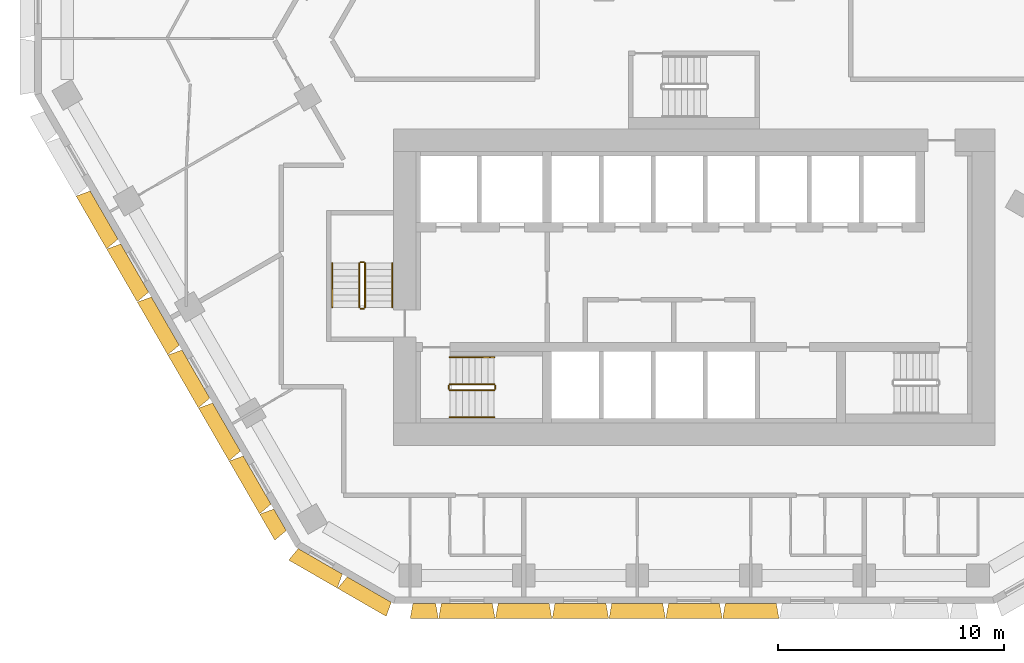
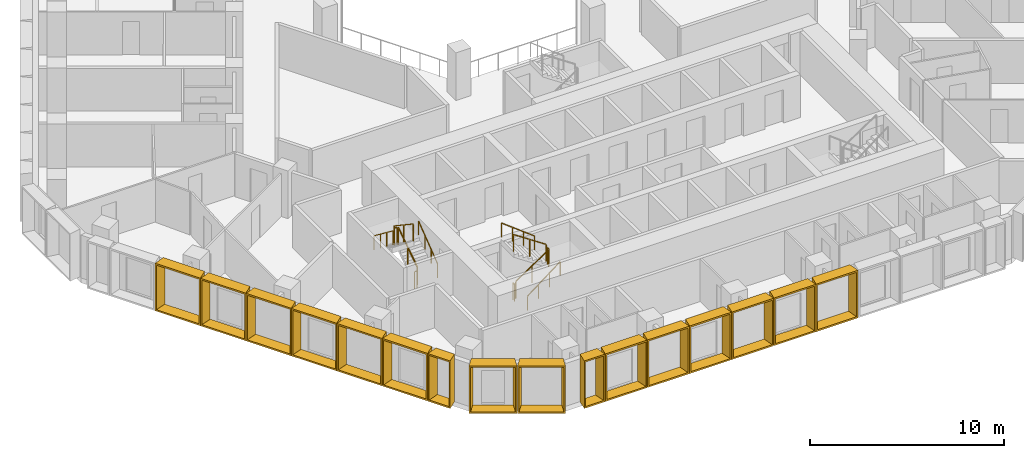
# One storey, part 12 of 15: 16 shading devices, 12 railings.
"""IFC4 building model written with IfcOpenShell, lengths in metres."""

from ifc_helpers import new_model, entity, si_unit, direction, frame, origin, origin_2d, place, context, subcontext, project, spatial, rectangle, extrude, source, transform, mapped, material, type_object, type_shapes, element, save


model = new_model("IFC4")

# Units and contexts
model_context = context("Model", 3, precision=1e-05, world=origin(), true_north=direction((0.0, 1.0)))
body_context = subcontext(model_context, "Body", "Model", "MODEL_VIEW")
ifc_project = project(units=[si_unit("LENGTHUNIT", "METRE"), si_unit("AREAUNIT", "SQUARE_METRE"), si_unit("VOLUMEUNIT", "CUBIC_METRE"), si_unit("PLANEANGLEUNIT", "RADIAN"), si_unit("MASSUNIT", "GRAM", prefix="KILO")], contexts=[model_context])

# Site, building, storey
site_placement = place(None, origin())
site = spatial("IfcSite", under=ifc_project, at=site_placement, CompositionType="ELEMENT")
building_placement = place(site_placement, origin())
building = spatial("IfcBuilding", under=site, at=building_placement, Name="Beryl Residences", CompositionType="ELEMENT")
storey_placement = place(building_placement, frame((0.0, 0.0, 72.0)))
storey = spatial("IfcBuildingStorey", under=building, at=storey_placement, Name="L21", CompositionType="ELEMENT", Elevation=72.0)

# Shading devices
ifc_material_1 = material(Name="Aluminium pale anodised", Category="aluminium")
shading_device_type_1 = type_object("IfcShadingDeviceType", Name="FR126-65A OUTER SKIN frame 650 mm deep, splay 10/10 deg, 1260 x 3000 mm cell", PredefinedType="USERDEFINED", material=ifc_material_1)
cartesian_point_1 = entity("IfcCartesianPoint", [-0.5048828125, 0.0])
cartesian_point_2 = entity("IfcCartesianPoint", [-0.423828125, 0.10009765625])
cartesian_point_3 = entity("IfcCartesianPoint", [-0.61962890625, 0.0])
cartesian_point_4 = entity("IfcCartesianPoint", [-0.538330078125, 0.10009765625])
shared_shape_1 = source(origin(), body_context, "Body", "SweptSolid", [
    entity("IfcExtrudedAreaSolidTapered", entity("IfcArbitraryProfileDefWithVoids", "AREA", None, entity("IfcPolyline", [cartesian_point_1, entity("IfcCartesianPoint", [0.5048828125, 0.0]), entity("IfcCartesianPoint", [0.5048828125, 3.0]), entity("IfcCartesianPoint", [-0.5048828125, 3.0]), cartesian_point_1]), [entity("IfcPolyline", [cartesian_point_2, entity("IfcCartesianPoint", [0.423828125, 0.10009765625]), entity("IfcCartesianPoint", [0.423828125, 2.89990234375]), entity("IfcCartesianPoint", [-0.423828125, 2.89990234375]), cartesian_point_2])]), entity("IfcAxis2Placement3D", entity("IfcCartesianPoint", [0.0, 0.0, 0.0]), entity("IfcDirection", [0.0, 1.0, 0.0]), entity("IfcDirection", [-1.0, 0.0, 0.0])), entity("IfcDirection", [0.0, 0.0, 1.0]), 0.64990234375, entity("IfcArbitraryProfileDefWithVoids", "AREA", None, entity("IfcPolyline", [cartesian_point_3, entity("IfcCartesianPoint", [0.61962890625, 0.0]), entity("IfcCartesianPoint", [0.61962890625, 3.0]), entity("IfcCartesianPoint", [-0.61962890625, 3.0]), cartesian_point_3]), [entity("IfcPolyline", [cartesian_point_4, entity("IfcCartesianPoint", [0.538330078125, 0.10009765625]), entity("IfcCartesianPoint", [0.538330078125, 2.89990234375]), entity("IfcCartesianPoint", [-0.538330078125, 2.89990234375]), cartesian_point_4])])),
])
type_shapes(shading_device_type_1, [shared_shape_1])
shading_device_1_placement = place(storey_placement, frame((-11.928955078125, -26.0, 0.0), z_axis=(0.0, 0.0, 1.0), x_axis=(-1.0, 0.0, 0.0)))
element("IfcShadingDevice", 1, at=shading_device_1_placement, inside=storey, type_object=shading_device_type_1, Name="FR126-65A frame L21 S 1", ObjectType="OUTER SKIN", PredefinedType="USERDEFINED", context=body_context, shape_type="MappedRepresentation", body=[
    mapped(shared_shape_1, transform((0.0, 0.0, 0.0))),
])
ifc_material_2 = material(Name="Aluminium pale anodised", Category="aluminium")
shading_device_type_2 = type_object("IfcShadingDeviceType", Name="FR135-65A OUTER SKIN frame 650 mm deep, splay 10/10 deg, 1350 x 3000 mm cell", PredefinedType="USERDEFINED", material=ifc_material_2)
cartesian_point_5 = entity("IfcCartesianPoint", [-0.550048828125, 0.0])
cartesian_point_6 = entity("IfcCartesianPoint", [-0.46875, 0.10009765625])
cartesian_point_7 = entity("IfcCartesianPoint", [-0.66455078125, 0.0])
cartesian_point_8 = entity("IfcCartesianPoint", [-0.58349609375, 0.10009765625])
shared_shape_2 = source(origin(), body_context, "Body", "SweptSolid", [
    entity("IfcExtrudedAreaSolidTapered", entity("IfcArbitraryProfileDefWithVoids", "AREA", None, entity("IfcPolyline", [cartesian_point_5, entity("IfcCartesianPoint", [0.550048828125, 0.0]), entity("IfcCartesianPoint", [0.550048828125, 3.0]), entity("IfcCartesianPoint", [-0.550048828125, 3.0]), cartesian_point_5]), [entity("IfcPolyline", [cartesian_point_6, entity("IfcCartesianPoint", [0.46875, 0.10009765625]), entity("IfcCartesianPoint", [0.46875, 2.89990234375]), entity("IfcCartesianPoint", [-0.46875, 2.89990234375]), cartesian_point_6])]), entity("IfcAxis2Placement3D", entity("IfcCartesianPoint", [0.0, 0.0, 0.0]), entity("IfcDirection", [0.0, 1.0, 0.0]), entity("IfcDirection", [-1.0, 0.0, 0.0])), entity("IfcDirection", [0.0, 0.0, 1.0]), 0.64990234375, entity("IfcArbitraryProfileDefWithVoids", "AREA", None, entity("IfcPolyline", [cartesian_point_7, entity("IfcCartesianPoint", [0.66455078125, 0.0]), entity("IfcCartesianPoint", [0.66455078125, 3.0]), entity("IfcCartesianPoint", [-0.66455078125, 3.0]), cartesian_point_7]), [entity("IfcPolyline", [cartesian_point_8, entity("IfcCartesianPoint", [0.58349609375, 0.10009765625]), entity("IfcCartesianPoint", [0.58349609375, 2.89990234375]), entity("IfcCartesianPoint", [-0.58349609375, 2.89990234375]), cartesian_point_8])])),
])
type_shapes(shading_device_type_2, [shared_shape_2])
shading_device_2_placement = place(storey_placement, frame((-18.30810546875, -22.2900390625, 0.0), z_axis=(0.0, 0.0, 1.0), x_axis=(-0.5, 0.866025403784, 0.0)))
element("IfcShadingDevice", 2, at=shading_device_2_placement, inside=storey, type_object=shading_device_type_2, Name="FR135-65A frame L21 SW 9", ObjectType="OUTER SKIN", PredefinedType="USERDEFINED", context=body_context, shape_type="MappedRepresentation", body=[
    mapped(shared_shape_2, transform((0.0, 0.0, 0.0))),
])
ifc_material_3 = material(Name="Aluminium pale anodised", Category="aluminium")
shading_device_type_3 = type_object("IfcShadingDeviceType", Name="FR250-65A OUTER SKIN frame 650 mm deep, splay 10/10 deg, 2500 x 3000 mm cell", PredefinedType="USERDEFINED", material=ifc_material_3)
cartesian_point_9 = entity("IfcCartesianPoint", [-1.125, 0.0])
cartesian_point_10 = entity("IfcCartesianPoint", [-1.043701171875, 0.10009765625])
cartesian_point_11 = entity("IfcCartesianPoint", [-1.239501953125, 0.0])
cartesian_point_12 = entity("IfcCartesianPoint", [-1.158447265625, 0.10009765625])
shared_shape_3 = source(origin(), body_context, "Body", "SweptSolid", [
    entity("IfcExtrudedAreaSolidTapered", entity("IfcArbitraryProfileDefWithVoids", "AREA", None, entity("IfcPolyline", [cartesian_point_9, entity("IfcCartesianPoint", [1.125, 0.0]), entity("IfcCartesianPoint", [1.125, 3.0]), entity("IfcCartesianPoint", [-1.125, 3.0]), cartesian_point_9]), [entity("IfcPolyline", [cartesian_point_10, entity("IfcCartesianPoint", [1.043701171875, 0.10009765625]), entity("IfcCartesianPoint", [1.043701171875, 2.89990234375]), entity("IfcCartesianPoint", [-1.043701171875, 2.89990234375]), cartesian_point_10])]), entity("IfcAxis2Placement3D", entity("IfcCartesianPoint", [0.0, 0.0, 0.0]), entity("IfcDirection", [0.0, 1.0, 0.0]), entity("IfcDirection", [-1.0, 0.0, 0.0])), entity("IfcDirection", [0.0, 0.0, 1.0]), 0.64990234375, entity("IfcArbitraryProfileDefWithVoids", "AREA", None, entity("IfcPolyline", [cartesian_point_11, entity("IfcCartesianPoint", [1.239501953125, 0.0]), entity("IfcCartesianPoint", [1.239501953125, 3.0]), entity("IfcCartesianPoint", [-1.239501953125, 3.0]), cartesian_point_11]), [entity("IfcPolyline", [cartesian_point_12, entity("IfcCartesianPoint", [1.158447265625, 0.10009765625]), entity("IfcCartesianPoint", [1.158447265625, 2.89990234375]), entity("IfcCartesianPoint", [-1.158447265625, 2.89990234375]), cartesian_point_12])])),
])
type_shapes(shading_device_type_3, [shared_shape_3])
for number, where, z_axis, x_axis, name in (
    (3, (-16.527099609375, -24.125, 0.0), (0.0, 0.0, 1.0), (-0.866025403784, 0.5, 0.0), "FR250-65A frame L21 SW-S 1"),
    (4, (-14.361083984375, -25.375, 0.0), (0.0, 0.0, 1.0), (-0.866025403784, 0.5, 0.0), "FR250-65A frame L21 SW-S 2"),
):
    element("IfcShadingDevice", number, at=place(storey_placement, frame(where, z_axis=z_axis, x_axis=x_axis)), inside=storey, type_object=shading_device_type_3, Name=name, ObjectType="OUTER SKIN", PredefinedType="USERDEFINED", context=body_context, shape_type="MappedRepresentation", body=[
        mapped(shared_shape_3, transform((0.0, 0.0, 0.0))),
    ])
ifc_material_4 = material(Name="Aluminium pale anodised", Category="aluminium")
shading_device_type_4 = type_object("IfcShadingDeviceType", Name="FR251-65A OUTER SKIN frame 650 mm deep, splay 10/10 deg, 2510 x 3000 mm cell", PredefinedType="USERDEFINED", material=ifc_material_4)
cartesian_point_13 = entity("IfcCartesianPoint", [-1.1298828125, 0.0])
cartesian_point_14 = entity("IfcCartesianPoint", [-1.048828125, 0.10009765625])
cartesian_point_15 = entity("IfcCartesianPoint", [-1.24462890625, 0.0])
cartesian_point_16 = entity("IfcCartesianPoint", [-1.163330078125, 0.10009765625])
shared_shape_4 = source(origin(), body_context, "Body", "SweptSolid", [
    entity("IfcExtrudedAreaSolidTapered", entity("IfcArbitraryProfileDefWithVoids", "AREA", None, entity("IfcPolyline", [cartesian_point_13, entity("IfcCartesianPoint", [1.1298828125, 0.0]), entity("IfcCartesianPoint", [1.1298828125, 3.0]), entity("IfcCartesianPoint", [-1.1298828125, 3.0]), cartesian_point_13]), [entity("IfcPolyline", [cartesian_point_14, entity("IfcCartesianPoint", [1.048828125, 0.10009765625]), entity("IfcCartesianPoint", [1.048828125, 2.89990234375]), entity("IfcCartesianPoint", [-1.048828125, 2.89990234375]), cartesian_point_14])]), entity("IfcAxis2Placement3D", entity("IfcCartesianPoint", [0.0, 0.0, 0.0]), entity("IfcDirection", [0.0, 1.0, 0.0]), entity("IfcDirection", [-1.0, 0.0, 0.0])), entity("IfcDirection", [0.0, 0.0, 1.0]), 0.64990234375, entity("IfcArbitraryProfileDefWithVoids", "AREA", None, entity("IfcPolyline", [cartesian_point_15, entity("IfcCartesianPoint", [1.24462890625, 0.0]), entity("IfcCartesianPoint", [1.24462890625, 3.0]), entity("IfcCartesianPoint", [-1.24462890625, 3.0]), cartesian_point_15]), [entity("IfcPolyline", [cartesian_point_16, entity("IfcCartesianPoint", [1.163330078125, 0.10009765625]), entity("IfcCartesianPoint", [1.163330078125, 2.89990234375]), entity("IfcCartesianPoint", [-1.163330078125, 2.89990234375]), cartesian_point_16])])),
])
type_shapes(shading_device_type_4, [shared_shape_4])
for number, where, z_axis, x_axis, name in (
    (5, (-10.0458984375, -26.0, 0.0), (0.0, 0.0, 1.0), (-1.0, 0.0, 0.0), "FR251-65A frame L21 S 2"),
    (6, (-7.533935546875, -26.0, 0.0), (0.0, 0.0, 1.0), (-1.0, 0.0, 0.0), "FR251-65A frame L21 S 3"),
    (7, (-5.02197265625, -26.0, 0.0), (0.0, 0.0, 1.0), (-1.0, 0.0, 0.0), "FR251-65A frame L21 S 4"),
    (8, (-2.510986328125, -26.0, 0.0), (0.0, 0.0, 1.0), (-1.0, 0.0, 0.0), "FR251-65A frame L21 S 5"),
    (9, (0.0, -26.0, 0.0), (0.0, 0.0, 1.0), (-1.0, 0.0, 0.0), "FR251-65A frame L21 S 6"),
    (10, (2.511962890625, -26.0, 0.0), (0.0, 0.0, 1.0), (-1.0, 0.0, 0.0), "FR251-65A frame L21 S 7"),
):
    element("IfcShadingDevice", number, at=place(storey_placement, frame(where, z_axis=z_axis, x_axis=x_axis)), inside=storey, type_object=shading_device_type_4, Name=name, ObjectType="OUTER SKIN", PredefinedType="USERDEFINED", context=body_context, shape_type="MappedRepresentation", body=[
        mapped(shared_shape_4, transform((0.0, 0.0, 0.0))),
    ])
ifc_material_5 = material(Name="Aluminium pale anodised", Category="aluminium")
shading_device_type_5 = type_object("IfcShadingDeviceType", Name="FR271-65A OUTER SKIN frame 650 mm deep, splay 10/10 deg, 2710 x 3000 mm cell", PredefinedType="USERDEFINED", material=ifc_material_5)
cartesian_point_17 = entity("IfcCartesianPoint", [-1.22998046875, 0.0])
cartesian_point_18 = entity("IfcCartesianPoint", [-1.148681640625, 0.10009765625])
cartesian_point_19 = entity("IfcCartesianPoint", [-1.3447265625, 0.0])
cartesian_point_20 = entity("IfcCartesianPoint", [-1.263427734375, 0.10009765625])
shared_shape_5 = source(origin(), body_context, "Body", "SweptSolid", [
    entity("IfcExtrudedAreaSolidTapered", entity("IfcArbitraryProfileDefWithVoids", "AREA", None, entity("IfcPolyline", [cartesian_point_17, entity("IfcCartesianPoint", [1.22998046875, 0.0]), entity("IfcCartesianPoint", [1.22998046875, 3.0]), entity("IfcCartesianPoint", [-1.22998046875, 3.0]), cartesian_point_17]), [entity("IfcPolyline", [cartesian_point_18, entity("IfcCartesianPoint", [1.148681640625, 0.10009765625]), entity("IfcCartesianPoint", [1.148681640625, 2.89990234375]), entity("IfcCartesianPoint", [-1.148681640625, 2.89990234375]), cartesian_point_18])]), entity("IfcAxis2Placement3D", entity("IfcCartesianPoint", [0.0, 0.0, 0.0]), entity("IfcDirection", [0.0, 1.0, 0.0]), entity("IfcDirection", [-1.0, 0.0, 0.0])), entity("IfcDirection", [0.0, 0.0, 1.0]), 0.64990234375, entity("IfcArbitraryProfileDefWithVoids", "AREA", None, entity("IfcPolyline", [cartesian_point_19, entity("IfcCartesianPoint", [1.3447265625, 0.0]), entity("IfcCartesianPoint", [1.3447265625, 3.0]), entity("IfcCartesianPoint", [-1.3447265625, 3.0]), cartesian_point_19]), [entity("IfcPolyline", [cartesian_point_20, entity("IfcCartesianPoint", [1.263427734375, 0.10009765625]), entity("IfcCartesianPoint", [1.263427734375, 2.89990234375]), entity("IfcCartesianPoint", [-1.263427734375, 2.89990234375]), cartesian_point_20])])),
])
type_shapes(shading_device_type_5, [shared_shape_5])
for number, where, z_axis, x_axis, name in (
    (11, (-26.090087890625, -8.81201171875, 0.0), (0.0, 0.0, 1.0), (-0.5, 0.866025403784, 0.0), "FR271-65A frame L21 SW 3"),
    (12, (-24.736083984375, -11.156005859375, 0.0), (0.0, 0.0, 1.0), (-0.5, 0.866025403784, 0.0), "FR271-65A frame L21 SW 4"),
    (13, (-23.383056640625, -13.5, 0.0), (0.0, 0.0, 1.0), (-0.5, 0.866025403784, 0.0), "FR271-65A frame L21 SW 5"),
    (14, (-22.030029296875, -15.843994140625, 0.0), (0.0, 0.0, 1.0), (-0.5, 0.866025403784, 0.0), "FR271-65A frame L21 SW 6"),
    (15, (-20.676025390625, -18.18798828125, 0.0), (0.0, 0.0, 1.0), (-0.5, 0.866025403784, 0.0), "FR271-65A frame L21 SW 7"),
    (16, (-19.322998046875, -20.531982421875, 0.0), (0.0, 0.0, 1.0), (-0.5, 0.866025403784, 0.0), "FR271-65A frame L21 SW 8"),
):
    element("IfcShadingDevice", number, at=place(storey_placement, frame(where, z_axis=z_axis, x_axis=x_axis)), inside=storey, type_object=shading_device_type_5, Name=name, ObjectType="OUTER SKIN", PredefinedType="USERDEFINED", context=body_context, shape_type="MappedRepresentation", body=[
        mapped(shared_shape_5, transform((0.0, 0.0, 0.0))),
    ])

# Railings
ifc_material_6 = material(Name="Stainless steel balustrade with glass infill", Category="steel")
railing_type_1 = type_object("IfcRailingType", Name="SG1 stair guard 1100 mm", PredefinedType="GUARDRAIL", material=ifc_material_6)
railing_1_placement = place(storey_placement, frame((-10.800048828125, -16.550048828125, 0.1875)))
element("IfcRailing", 17, at=railing_1_placement, inside=storey, type_object=railing_type_1, Name="L21 ST-1 stair guard 1", PredefinedType="GUARDRAIL", context=body_context, shape_type="SweptSolid", body=[
    extrude(rectangle(XDim=0.048095703125, YDim=0.048095703125, at=origin_2d()), frame((0.0, 0.0, 1.076171875), z_axis=(0.830902050051, 0.0, 0.556418712142), x_axis=(0.0, 1.0, 0.0)), (0.0, 0.0, 1.0), 2.35888671875),
    extrude(rectangle(XDim=0.0419921875, YDim=0.0419921875, at=origin_2d()), origin(), (0.0, 0.0, 1.0), 1.052001953125),
    extrude(rectangle(XDim=0.0419921875, YDim=0.0419921875, at=origin_2d()), frame((0.97998046875, 0.0, 0.65625)), (0.0, 0.0, 1.0), 1.052001953125),
    extrude(rectangle(XDim=0.0419921875, YDim=0.0419921875, at=origin_2d()), frame((1.9599609375, 0.0, 1.3125)), (0.0, 0.0, 1.0), 1.052001953125),
])
railing_2_placement = place(storey_placement, frame((-8.7900390625, -16.5, 1.5)))
element("IfcRailing", 18, at=railing_2_placement, inside=storey, type_object=railing_type_1, Name="L21 ST-1 stair guard 2", PredefinedType="GUARDRAIL", context=body_context, shape_type="SweptSolid", body=[
    extrude(rectangle(XDim=0.048095703125, YDim=0.048095703125, at=origin_2d()), frame((0.0, 0.0, 1.076171875), z_axis=(0.0, 1.0, 0.0), x_axis=(-1.0, 0.0, 0.0)), (0.0, 0.0, 1.0), 0.14990234375),
    extrude(rectangle(XDim=0.0419921875, YDim=0.0419921875, at=origin_2d()), origin(), (0.0, 0.0, 1.0), 1.052001953125),
    extrude(rectangle(XDim=0.0419921875, YDim=0.0419921875, at=origin_2d()), frame((0.0, 0.14990234375, 0.0)), (0.0, 0.0, 1.0), 1.052001953125),
])
railing_3_placement = place(storey_placement, frame((-8.840087890625, -16.300048828125, 1.6875)))
element("IfcRailing", 19, at=railing_3_placement, inside=storey, type_object=railing_type_1, Name="L21 ST-1 stair guard 3", PredefinedType="GUARDRAIL", context=body_context, shape_type="SweptSolid", body=[
    extrude(rectangle(XDim=0.048095703125, YDim=0.048095703125, at=origin_2d()), frame((0.0, 0.0, 1.076171875), z_axis=(-0.830902050051, 0.0, 0.556418712142), x_axis=(0.0, -1.0, 0.0)), (0.0, 0.0, 1.0), 2.35888671875),
    extrude(rectangle(XDim=0.0419921875, YDim=0.0419921875, at=origin_2d()), origin(), (0.0, 0.0, 1.0), 1.052001953125),
    extrude(rectangle(XDim=0.0419921875, YDim=0.0419921875, at=origin_2d()), frame((-0.97998046875, 0.0, 0.65625)), (0.0, 0.0, 1.0), 1.052001953125),
    extrude(rectangle(XDim=0.0419921875, YDim=0.0419921875, at=origin_2d()), frame((-1.9599609375, 0.0, 1.3125)), (0.0, 0.0, 1.0), 1.052001953125),
])
railing_4_placement = place(storey_placement, frame((-10.85009765625, -16.5, 0.0)))
element("IfcRailing", 20, at=railing_4_placement, inside=storey, type_object=railing_type_1, Name="L21 ST-1 stair guard 4", PredefinedType="GUARDRAIL", context=body_context, shape_type="SweptSolid", body=[
    extrude(rectangle(XDim=0.048095703125, YDim=0.048095703125, at=origin_2d()), frame((0.0, 0.0, 1.076171875), z_axis=(0.0, 1.0, 0.0), x_axis=(-1.0, 0.0, 0.0)), (0.0, 0.0, 1.0), 0.14990234375),
    extrude(rectangle(XDim=0.0419921875, YDim=0.0419921875, at=origin_2d()), origin(), (0.0, 0.0, 1.0), 1.052001953125),
    extrude(rectangle(XDim=0.0419921875, YDim=0.0419921875, at=origin_2d()), frame((0.0, 0.14990234375, 0.0)), (0.0, 0.0, 1.0), 1.052001953125),
])
railing_5_placement = place(storey_placement, frame((-14.550048828125, -12.89990234375, 0.1875)))
element("IfcRailing", 21, at=railing_5_placement, inside=storey, type_object=railing_type_1, Name="L21 ST-2 stair guard 1", PredefinedType="GUARDRAIL", context=body_context, shape_type="SweptSolid", body=[
    extrude(rectangle(XDim=0.048095703125, YDim=0.048095703125, at=origin_2d()), frame((0.0, 0.0, 1.076171875), z_axis=(0.0, 0.830902050051, 0.556418712142), x_axis=(-1.0, 0.0, 0.0)), (0.0, 0.0, 1.0), 2.35888671875),
    extrude(rectangle(XDim=0.0419921875, YDim=0.0419921875, at=origin_2d()), origin(), (0.0, 0.0, 1.0), 1.052001953125),
    extrude(rectangle(XDim=0.0419921875, YDim=0.0419921875, at=origin_2d()), frame((0.0, 0.97998046875, 0.65625)), (0.0, 0.0, 1.0), 1.052001953125),
    extrude(rectangle(XDim=0.0419921875, YDim=0.0419921875, at=origin_2d()), frame((0.0, 1.9599609375, 1.3125)), (0.0, 0.0, 1.0), 1.052001953125),
])
railing_6_placement = place(storey_placement, frame((-14.60009765625, -10.889892578125, 1.5)))
element("IfcRailing", 22, at=railing_6_placement, inside=storey, type_object=railing_type_1, Name="L21 ST-2 stair guard 2", PredefinedType="GUARDRAIL", context=body_context, shape_type="SweptSolid", body=[
    extrude(rectangle(XDim=0.048095703125, YDim=0.048095703125, at=origin_2d()), frame((0.0, 0.0, 1.076171875), z_axis=(-1.0, 0.0, 0.0), x_axis=(0.0, -1.0, 0.0)), (0.0, 0.0, 1.0), 0.14990234375),
    extrude(rectangle(XDim=0.0419921875, YDim=0.0419921875, at=origin_2d()), origin(), (0.0, 0.0, 1.0), 1.052001953125),
    extrude(rectangle(XDim=0.0419921875, YDim=0.0419921875, at=origin_2d()), frame((-0.14990234375, 0.0, 0.0)), (0.0, 0.0, 1.0), 1.052001953125),
])
railing_7_placement = place(storey_placement, frame((-14.800048828125, -10.93994140625, 1.6875)))
element("IfcRailing", 23, at=railing_7_placement, inside=storey, type_object=railing_type_1, Name="L21 ST-2 stair guard 3", PredefinedType="GUARDRAIL", context=body_context, shape_type="SweptSolid", body=[
    extrude(rectangle(XDim=0.048095703125, YDim=0.048095703125, at=origin_2d()), frame((0.0, 0.0, 1.076171875), z_axis=(0.0, -0.830902050051, 0.556418712142), x_axis=(1.0, 0.0, 0.0)), (0.0, 0.0, 1.0), 2.35888671875),
    extrude(rectangle(XDim=0.0419921875, YDim=0.0419921875, at=origin_2d()), origin(), (0.0, 0.0, 1.0), 1.052001953125),
    extrude(rectangle(XDim=0.0419921875, YDim=0.0419921875, at=origin_2d()), frame((0.0, -0.97998046875, 0.65625)), (0.0, 0.0, 1.0), 1.052001953125),
    extrude(rectangle(XDim=0.0419921875, YDim=0.0419921875, at=origin_2d()), frame((0.0, -1.9599609375, 1.3125)), (0.0, 0.0, 1.0), 1.052001953125),
])
railing_8_placement = place(storey_placement, frame((-14.60009765625, -12.949951171875, 0.0)))
element("IfcRailing", 24, at=railing_8_placement, inside=storey, type_object=railing_type_1, Name="L21 ST-2 stair guard 4", PredefinedType="GUARDRAIL", context=body_context, shape_type="SweptSolid", body=[
    extrude(rectangle(XDim=0.048095703125, YDim=0.048095703125, at=origin_2d()), frame((0.0, 0.0, 1.076171875), z_axis=(-1.0, 0.0, 0.0), x_axis=(0.0, -1.0, 0.0)), (0.0, 0.0, 1.0), 0.14990234375),
    extrude(rectangle(XDim=0.0419921875, YDim=0.0419921875, at=origin_2d()), origin(), (0.0, 0.0, 1.0), 1.052001953125),
    extrude(rectangle(XDim=0.0419921875, YDim=0.0419921875, at=origin_2d()), frame((-0.14990234375, 0.0, 0.0)), (0.0, 0.0, 1.0), 1.052001953125),
])
ifc_material_7 = material(Name="Stainless steel handrail", Category="steel")
railing_type_2 = type_object("IfcRailingType", Name="SRL1 stair handrail 900 mm", PredefinedType="HANDRAIL", material=ifc_material_7)
railing_9_placement = place(storey_placement, frame((-10.800048828125, -17.75, 0.1875)))
element("IfcRailing", 25, at=railing_9_placement, inside=storey, type_object=railing_type_2, Name="L21 ST-1 stair handrail 1", PredefinedType="HANDRAIL", context=body_context, shape_type="SweptSolid", body=[
    extrude(rectangle(XDim=0.048095703125, YDim=0.048095703125, at=origin_2d()), frame((0.0, 0.0, 0.8759765625), z_axis=(0.794121922505, 0.0, 0.607758481798), x_axis=(0.0, 1.0, 0.0)), (0.0, 0.0, 1.0), 2.468017578125),
    extrude(rectangle(XDim=0.0419921875, YDim=0.0419921875, at=origin_2d()), origin(), (0.0, 0.0, 1.0), 0.851806640625),
    extrude(rectangle(XDim=0.0419921875, YDim=0.0419921875, at=origin_2d()), frame((0.6533203125, 0.0, 0.5)), (0.0, 0.0, 1.0), 0.851806640625),
    extrude(rectangle(XDim=0.0419921875, YDim=0.0419921875, at=origin_2d()), frame((1.306640625, 0.0, 1.0)), (0.0, 0.0, 1.0), 0.851806640625),
    extrude(rectangle(XDim=0.0419921875, YDim=0.0419921875, at=origin_2d()), frame((1.9599609375, 0.0, 1.5)), (0.0, 0.0, 1.0), 0.851806640625),
])
railing_10_placement = place(storey_placement, frame((-8.840087890625, -15.10009765625, 1.6875)))
element("IfcRailing", 26, at=railing_10_placement, inside=storey, type_object=railing_type_2, Name="L21 ST-1 stair handrail 2", PredefinedType="HANDRAIL", context=body_context, shape_type="SweptSolid", body=[
    extrude(rectangle(XDim=0.048095703125, YDim=0.048095703125, at=origin_2d()), frame((0.0, 0.0, 0.8759765625), z_axis=(-0.794121922505, 0.0, 0.607758481798), x_axis=(0.0, -1.0, 0.0)), (0.0, 0.0, 1.0), 2.468017578125),
    extrude(rectangle(XDim=0.0419921875, YDim=0.0419921875, at=origin_2d()), origin(), (0.0, 0.0, 1.0), 0.851806640625),
    extrude(rectangle(XDim=0.0419921875, YDim=0.0419921875, at=origin_2d()), frame((-0.6533203125, 0.0, 0.5)), (0.0, 0.0, 1.0), 0.851806640625),
    extrude(rectangle(XDim=0.0419921875, YDim=0.0419921875, at=origin_2d()), frame((-1.306640625, 0.0, 1.0)), (0.0, 0.0, 1.0), 0.851806640625),
    extrude(rectangle(XDim=0.0419921875, YDim=0.0419921875, at=origin_2d()), frame((-1.9599609375, 0.0, 1.5)), (0.0, 0.0, 1.0), 0.851806640625),
])
railing_11_placement = place(storey_placement, frame((-13.35009765625, -12.89990234375, 0.1875)))
element("IfcRailing", 27, at=railing_11_placement, inside=storey, type_object=railing_type_2, Name="L21 ST-2 stair handrail 1", PredefinedType="HANDRAIL", context=body_context, shape_type="SweptSolid", body=[
    extrude(rectangle(XDim=0.048095703125, YDim=0.048095703125, at=origin_2d()), frame((0.0, 0.0, 0.8759765625), z_axis=(0.0, 0.794121922505, 0.607758481798), x_axis=(-1.0, 0.0, 0.0)), (0.0, 0.0, 1.0), 2.468017578125),
    extrude(rectangle(XDim=0.0419921875, YDim=0.0419921875, at=origin_2d()), origin(), (0.0, 0.0, 1.0), 0.851806640625),
    extrude(rectangle(XDim=0.0419921875, YDim=0.0419921875, at=origin_2d()), frame((0.0, 0.6533203125, 0.5)), (0.0, 0.0, 1.0), 0.851806640625),
    extrude(rectangle(XDim=0.0419921875, YDim=0.0419921875, at=origin_2d()), frame((0.0, 1.306640625, 1.0)), (0.0, 0.0, 1.0), 0.851806640625),
    extrude(rectangle(XDim=0.0419921875, YDim=0.0419921875, at=origin_2d()), frame((0.0, 1.9599609375, 1.5)), (0.0, 0.0, 1.0), 0.851806640625),
])
railing_12_placement = place(storey_placement, frame((-16.0, -10.93994140625, 1.6875)))
element("IfcRailing", 28, at=railing_12_placement, inside=storey, type_object=railing_type_2, Name="L21 ST-2 stair handrail 2", PredefinedType="HANDRAIL", context=body_context, shape_type="SweptSolid", body=[
    extrude(rectangle(XDim=0.048095703125, YDim=0.048095703125, at=origin_2d()), frame((0.0, 0.0, 0.8759765625), z_axis=(0.0, -0.794121922505, 0.607758481798), x_axis=(1.0, 0.0, 0.0)), (0.0, 0.0, 1.0), 2.468017578125),
    extrude(rectangle(XDim=0.0419921875, YDim=0.0419921875, at=origin_2d()), origin(), (0.0, 0.0, 1.0), 0.851806640625),
    extrude(rectangle(XDim=0.0419921875, YDim=0.0419921875, at=origin_2d()), frame((0.0, -0.6533203125, 0.5)), (0.0, 0.0, 1.0), 0.851806640625),
    extrude(rectangle(XDim=0.0419921875, YDim=0.0419921875, at=origin_2d()), frame((0.0, -1.306640625, 1.0)), (0.0, 0.0, 1.0), 0.851806640625),
    extrude(rectangle(XDim=0.0419921875, YDim=0.0419921875, at=origin_2d()), frame((0.0, -1.9599609375, 1.5)), (0.0, 0.0, 1.0), 0.851806640625),
])

save(model, "model.ifc")
